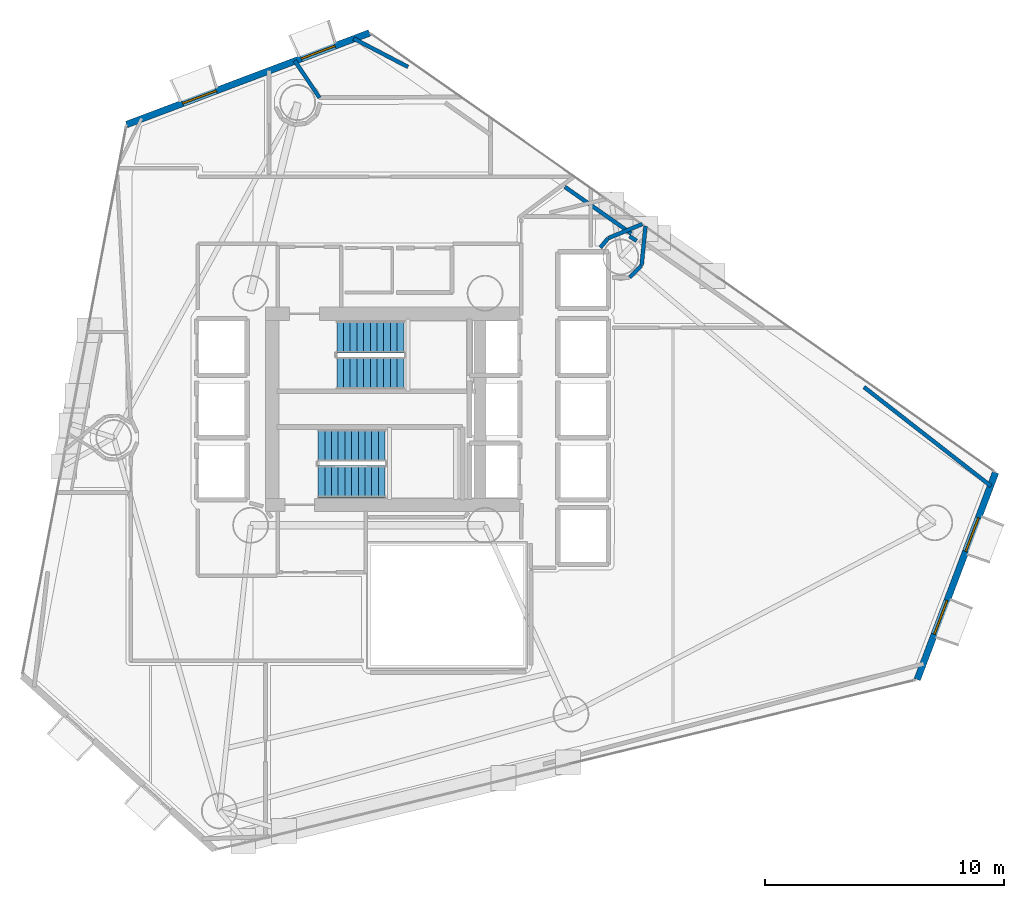
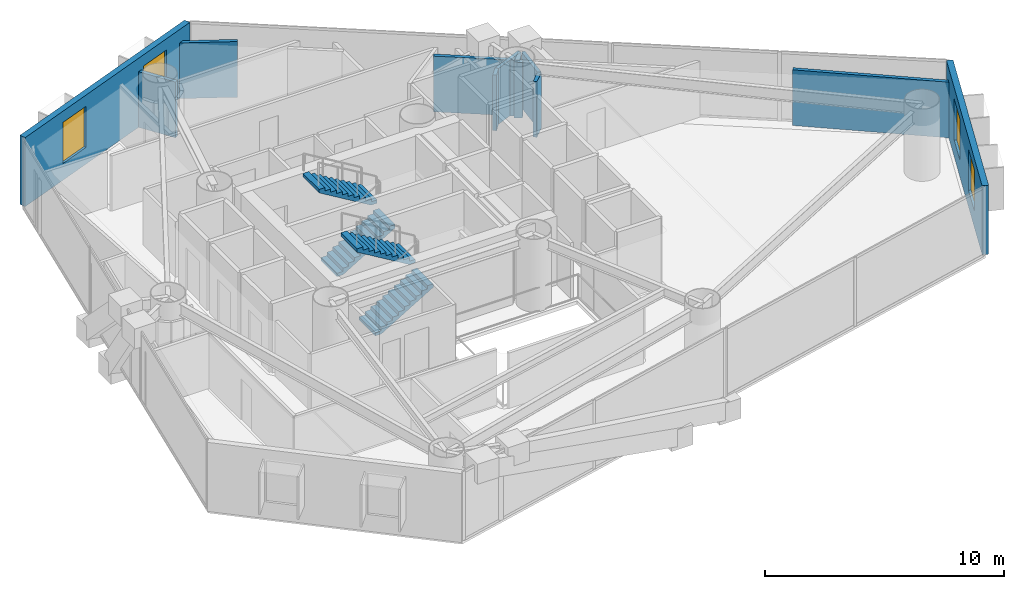
# One storey, part 21 of 24: 11 walls, 4 stair flights, 4 windows, 4 openings, 2 elements without a shape of their own.
"""IFC4 building model written with IfcOpenShell, lengths in metres."""

from ifc_helpers import new_model, si_unit, direction, frame, frame_2d, origin, place, context, subcontext, project, spatial, polyline, rectangle, outline, extrude, material, layer, layer_set, type_object, element, fill, aggregate, save


model = new_model("IFC4")

# Units and contexts
model_context = context("Model", 3, precision=1e-05, world=origin(), true_north=direction((0.0, 1.0)))
body_context = subcontext(model_context, "Body", "Model", "MODEL_VIEW")
ifc_project = project(units=[si_unit("LENGTHUNIT", "METRE"), si_unit("AREAUNIT", "SQUARE_METRE"), si_unit("VOLUMEUNIT", "CUBIC_METRE"), si_unit("PLANEANGLEUNIT", "RADIAN"), si_unit("MASSUNIT", "GRAM", prefix="KILO")], contexts=[model_context])

# Site, building, storey
site_placement = place(None, origin())
site = spatial("IfcSite", under=ifc_project, at=site_placement, CompositionType="ELEMENT")
building_placement = place(site_placement, origin())
building = spatial("IfcBuilding", under=site, at=building_placement, Name="Qianvela Tower", CompositionType="ELEMENT")
storey_placement = place(building_placement, frame((0.0, 0.0, 101.5)))
storey = spatial("IfcBuildingStorey", under=building, at=storey_placement, Name="L25", CompositionType="ELEMENT", Elevation=101.5)

# Wall, openings, windows
ifc_material_1 = material(Name="Terracotta Cladding on Concrete C40", Category="masonry")
ifc_layer_1 = layer(ifc_material_1, 0.280029296875)
ifc_layer_set_1 = layer_set([ifc_layer_1], Name="Terracotta Cladding on Concrete C40")
wall_type_1 = type_object("IfcWallType", Name="TERRACOTTA-WALL-280", PredefinedType="SOLIDWALL", material=ifc_layer_set_1)
wall_1_placement = place(storey_placement, frame((56.4619140625, 17.400634765625, 0.0), z_axis=(0.0, 0.0, 1.0), x_axis=(0.354165203928, 0.935182874269, 0.0)))
wall_1 = element("IfcWall", 1, at=wall_1_placement, inside=storey, type_object=wall_type_1, Name="L25 Terracotta Chamfer Facet Wall 1", PredefinedType="SOLIDWALL", context=body_context, shape_type="SweptSolid", body=[
    extrude(rectangle(XDim=9.256591796875, YDim=0.280029296875, at=frame_2d((4.62841796875, 0.0))), origin(), (0.0, 0.0, 1.0), 3.52001953125),
])
opening_1_placement = place(wall_1_placement, frame((2.027099609375, 0.0, 0.85009765625)))
opening_1 = element("IfcOpeningElement", 2, at=opening_1_placement, cuts=wall_1, Name="Opening W-02", PredefinedType="OPENING", context=body_context, shape_type="SweptSolid", body=[
    extrude(rectangle(XDim=1.5, YDim=2.10009765625, at=frame_2d((0.75, 1.050048828125))), frame((0.0, 0.14990234375, 0.0), z_axis=(0.0, -1.0, 0.0), x_axis=(1.0, 0.0, 0.0)), (0.0, 0.0, 1.0), 0.300048828125),
])
opening_2_placement = place(wall_1_placement, frame((5.7294921875, 0.0, 0.85009765625)))
opening_2 = element("IfcOpeningElement", 3, at=opening_2_placement, cuts=wall_1, Name="Opening W-02", PredefinedType="OPENING", context=body_context, shape_type="SweptSolid", body=[
    extrude(rectangle(XDim=1.5, YDim=2.10009765625, at=frame_2d((0.75, 1.050048828125))), frame((0.0, 0.14990234375, 0.0), z_axis=(0.0, -1.0, 0.0), x_axis=(1.0, 0.0, 0.0)), (0.0, 0.0, 1.0), 0.300048828125),
])
ifc_material_2 = material(Name="Thermally Broken Aluminium and Low-E Glass", Category="aluminium")
window_type = type_object("IfcWindowType", Name="WIN-TC-1500x2100", PartitioningType="DOUBLE_PANEL_VERTICAL", PredefinedType="WINDOW", material=ifc_material_2)
window_1_placement = place(opening_1_placement, origin())
window_1 = element("IfcWindow", 4, at=window_1_placement, inside=storey, type_object=window_type, Name="L25 Chamfer Facet Window 1.1", OverallHeight=2.10009765625, OverallWidth=1.5, PartitioningType="SINGLE_PANEL", PredefinedType="WINDOW", context=body_context, shape_type="SweptSolid", body=[
    extrude(rectangle(XDim=1.5, YDim=2.10009765625, at=frame_2d((0.75, 1.050048828125))), frame((0.0, 0.030029296875, 0.0), z_axis=(0.0, -1.0, 0.0), x_axis=(1.0, 0.0, 0.0)), (0.0, 0.0, 1.0), 0.06005859375),
])
fill(opening_1, window_1)
window_2_placement = place(opening_2_placement, origin())
window_2 = element("IfcWindow", 5, at=window_2_placement, inside=storey, type_object=window_type, Name="L25 Chamfer Facet Window 1.2", OverallHeight=2.10009765625, OverallWidth=1.5, PartitioningType="SINGLE_PANEL", PredefinedType="WINDOW", context=body_context, shape_type="SweptSolid", body=[
    extrude(rectangle(XDim=1.5, YDim=2.10009765625, at=frame_2d((0.75, 1.050048828125))), frame((0.0, 0.030029296875, 0.0), z_axis=(0.0, -1.0, 0.0), x_axis=(1.0, 0.0, 0.0)), (0.0, 0.0, 1.0), 0.06005859375),
])
fill(opening_2, window_2)

wall_2_placement = place(storey_placement, frame((33.56787109375, 44.43310546875, 0.0), z_axis=(0.0, 0.0, 1.0), x_axis=(-0.935658075395, -0.352907871757, 0.0)))
wall_2 = element("IfcWall", 6, at=wall_2_placement, inside=storey, type_object=wall_type_1, Name="L25 Terracotta Chamfer Facet Wall 3", PredefinedType="SOLIDWALL", context=body_context, shape_type="SweptSolid", body=[
    extrude(rectangle(XDim=10.8515625, YDim=0.280029296875, at=frame_2d((5.42578125, 0.0))), origin(), (0.0, 0.0, 1.0), 3.52001953125),
])
opening_3_placement = place(wall_2_placement, frame((1.54541015625, 0.0, 0.85009765625)))
opening_3 = element("IfcOpeningElement", 7, at=opening_3_placement, cuts=wall_2, Name="Opening W-02", PredefinedType="OPENING", context=body_context, shape_type="SweptSolid", body=[
    extrude(rectangle(XDim=1.5, YDim=2.10009765625, at=frame_2d((0.75, 1.050048828125))), frame((0.0, 0.14990234375, 0.0), z_axis=(0.0, -1.0, 0.0), x_axis=(1.0, 0.0, 0.0)), (0.0, 0.0, 1.0), 0.300048828125),
])
opening_4_placement = place(wall_2_placement, frame((6.845947265625, 0.0, 0.85009765625)))
opening_4 = element("IfcOpeningElement", 8, at=opening_4_placement, cuts=wall_2, Name="Opening W-02", PredefinedType="OPENING", context=body_context, shape_type="SweptSolid", body=[
    extrude(rectangle(XDim=1.5, YDim=2.10009765625, at=frame_2d((0.75, 1.050048828125))), frame((0.0, 0.14990234375, 0.0), z_axis=(0.0, -1.0, 0.0), x_axis=(1.0, 0.0, 0.0)), (0.0, 0.0, 1.0), 0.300048828125),
])
window_3_placement = place(opening_3_placement, origin())
window_3 = element("IfcWindow", 9, at=window_3_placement, inside=storey, type_object=window_type, Name="L25 Chamfer Facet Window 3.1", OverallHeight=2.10009765625, OverallWidth=1.5, PartitioningType="SINGLE_PANEL", PredefinedType="WINDOW", context=body_context, shape_type="SweptSolid", body=[
    extrude(rectangle(XDim=1.5, YDim=2.10009765625, at=frame_2d((0.75, 1.050048828125))), frame((0.0, 0.030029296875, 0.0), z_axis=(0.0, -1.0, 0.0), x_axis=(1.0, 0.0, 0.0)), (0.0, 0.0, 1.0), 0.06005859375),
])
fill(opening_3, window_3)
window_4_placement = place(opening_4_placement, origin())
window_4 = element("IfcWindow", 10, at=window_4_placement, inside=storey, type_object=window_type, Name="L25 Chamfer Facet Window 3.2", OverallHeight=2.10009765625, OverallWidth=1.5, PartitioningType="SINGLE_PANEL", PredefinedType="WINDOW", context=body_context, shape_type="SweptSolid", body=[
    extrude(rectangle(XDim=1.5, YDim=2.10009765625, at=frame_2d((0.75, 1.050048828125))), frame((0.0, 0.030029296875, 0.0), z_axis=(0.0, -1.0, 0.0), x_axis=(1.0, 0.0, 0.0)), (0.0, 0.0, 1.0), 0.06005859375),
])
fill(opening_4, window_4)

# Walls
ifc_material_3 = material(Name="Sanitary Service Chase Partition")
ifc_layer_2 = layer(ifc_material_3, 0.1650390625)
ifc_layer_set_2 = layer_set([ifc_layer_2], Name="Sanitary Service Chase Partition")
wall_type_2 = type_object("IfcWallType", Name="WT-PLUMB-165", PredefinedType="PLUMBINGWALL", material=ifc_layer_set_2)
wall_3_placement = place(storey_placement, frame((54.236572265625, 29.628173828125, 0.0), z_axis=(0.0, 0.0, 1.0), x_axis=(0.788703460588, -0.61477382122, 0.0)))
element("IfcWall", 11, at=wall_3_placement, inside=storey, type_object=wall_type_2, Name="L25 Partition 69 seg 1", PredefinedType="PLUMBINGWALL", context=body_context, shape_type="SweptSolid", body=[
    extrude(rectangle(XDim=6.73193359375, YDim=0.1650390625, at=frame_2d((3.365966796875, 0.0))), origin(), (0.0, 0.0, 1.0), 2.840087890625),
])
wall_4_placement = place(storey_placement, frame((44.441162109375, 34.207275390625, 0.0), z_axis=(0.0, 0.0, 1.0), x_axis=(0.707106781187, 0.707106781187, 0.0)))
element("IfcWall", 12, at=wall_4_placement, inside=storey, type_object=wall_type_2, Name="L25 Partition 76", PredefinedType="PLUMBINGWALL", context=body_context, shape_type="SweptSolid", body=[
    extrude(rectangle(XDim=0.6962890625, YDim=0.1650390625, at=frame_2d((0.34814453125, 0.0))), origin(), (0.0, 0.0, 1.0), 2.840087890625),
])
wall_5_placement = place(storey_placement, frame((44.942626953125, 34.71875, 0.0), z_axis=(0.0, 0.0, 1.0), x_axis=(0.09801847971, 0.995184594754, 0.0)))
element("IfcWall", 13, at=wall_5_placement, inside=storey, type_object=wall_type_2, Name="L25 Partition 77", PredefinedType="PLUMBINGWALL", context=body_context, shape_type="SweptSolid", body=[
    extrude(rectangle(XDim=1.643798828125, YDim=0.1650390625, at=frame_2d((0.82177734375, 0.0))), origin(), (0.0, 0.0, 1.0), 2.840087890625),
])
wall_6_placement = place(storey_placement, frame((44.731689453125, 35.7392578125, 0.0), z_axis=(0.0, 0.0, 1.0), x_axis=(-0.831414960455, 0.555652016582, 0.0)))
element("IfcWall", 14, at=wall_6_placement, inside=storey, type_object=wall_type_2, Name="L25 Partition 79", PredefinedType="PLUMBINGWALL", context=body_context, shape_type="SweptSolid", body=[
    extrude(rectangle(XDim=0.35498046875, YDim=0.1650390625, at=frame_2d((0.177490234375, 0.0))), origin(), (0.0, 0.0, 1.0), 2.840087890625),
])
wall_7_placement = place(storey_placement, frame((44.975341796875, 36.4443359375, 0.0), z_axis=(0.0, 0.0, 1.0), x_axis=(-0.923821499472, -0.382823506479, 0.0)))
element("IfcWall", 15, at=wall_7_placement, inside=storey, type_object=wall_type_2, Name="L25 Partition 81", PredefinedType="PLUMBINGWALL", context=body_context, shape_type="SweptSolid", body=[
    extrude(rectangle(XDim=1.538818359375, YDim=0.1650390625, at=frame_2d((0.76953125, 0.0))), origin(), (0.0, 0.0, 1.0), 2.840087890625),
])
wall_8_placement = place(storey_placement, frame((43.541748046875, 35.846435546875, 0.0), z_axis=(0.0, 0.0, 1.0), x_axis=(-0.641896943682, -0.76679091915, 0.0)))
element("IfcWall", 16, at=wall_8_placement, inside=storey, type_object=wall_type_2, Name="L25 Partition 82", PredefinedType="PLUMBINGWALL", context=body_context, shape_type="SweptSolid", body=[
    extrude(rectangle(XDim=0.50439453125, YDim=0.1650390625, at=frame_2d((0.252197265625, 0.0))), origin(), (0.0, 0.0, 1.0), 2.840087890625),
])
wall_9_placement = place(storey_placement, frame((41.734130859375, 37.99560546875, 0.0), z_axis=(0.0, 0.0, 1.0), x_axis=(0.818419506658, -0.574621189239, 0.0)))
element("IfcWall", 17, at=wall_9_placement, inside=storey, type_object=wall_type_2, Name="L25 Partition 86 seg 1", PredefinedType="PLUMBINGWALL", context=body_context, shape_type="SweptSolid", body=[
    extrude(rectangle(XDim=3.391845703125, YDim=0.1650390625, at=frame_2d((1.69580078125, 0.0))), origin(), (0.0, 0.0, 1.0), 2.840087890625),
])
wall_10_placement = place(storey_placement, frame((32.8994140625, 44.198486328125, 0.0), z_axis=(0.0, 0.0, 1.0), x_axis=(0.886559432929, -0.462614712135, 0.0)))
element("IfcWall", 18, at=wall_10_placement, inside=storey, type_object=wall_type_2, Name="L25 Partition 92 seg 1", PredefinedType="PLUMBINGWALL", context=body_context, shape_type="SweptSolid", body=[
    extrude(rectangle(XDim=2.569580078125, YDim=0.1650390625, at=frame_2d((1.28466796875, 0.0))), origin(), (0.0, 0.0, 1.0), 2.840087890625),
])
wall_11_placement = place(storey_placement, frame((31.481201171875, 41.71923828125, 0.0), z_axis=(0.0, 0.0, 1.0), x_axis=(-0.55689586122, 0.830582325694, 0.0)))
element("IfcWall", 19, at=wall_11_placement, inside=storey, type_object=wall_type_2, Name="L25 Partition 94", PredefinedType="PLUMBINGWALL", context=body_context, shape_type="SweptSolid", body=[
    extrude(rectangle(XDim=1.87158203125, YDim=0.1650390625, at=frame_2d((0.935791015625, 0.0))), origin(), (0.0, 0.0, 1.0), 2.840087890625),
])

# Stair, stair flights
ifc_material_4 = material(Name="Concrete C40", Category="concrete")
stair_type = type_object("IfcStairType", Name="ST-DOGLEG-1350-R168-N22", PredefinedType="HALF_TURN_STAIR", material=ifc_material_4)
stair_1_placement = place(storey_placement, origin())
stair_1 = element("IfcStair", 20, at=stair_1_placement, inside=storey, type_object=stair_type, Name="L25 Smoke-Proof Core Stair ST-1", PredefinedType="HALF_TURN_STAIR")
ifc_material_5 = material(Name="Concrete C40", Category="concrete")
stair_flight_type = type_object("IfcStairFlightType", Name="STF-STRAIGHT-R168-P11", PredefinedType="STRAIGHT", material=ifc_material_5)
stair_flight_1_placement = place(storey_placement, frame((32.199951171875, 30.215087890625, 0.0), z_axis=(0.0, 0.0, 1.0), x_axis=(1.0, 0.0, 0.0)))
stair_flight_1 = element("IfcStairFlight", 21, at=stair_flight_1_placement, type_object=stair_flight_type, Name="ST-1 flight 1", NumberOfRisers=11, NumberOfTreads=10, PredefinedType="STRAIGHT", RiserHeight=0.168181818, TreadLength=0.28, context=body_context, shape_type="SweptSolid", body=[
    extrude(outline(polyline([(0.0, 0.0), (0.0, 0.168212890625), (0.280029296875, 0.168212890625), (0.280029296875, 0.33642578125), (0.56005859375, 0.33642578125), (0.56005859375, 0.504638671875), (0.840087890625, 0.504638671875), (0.840087890625, 0.672607421875), (1.1201171875, 0.672607421875), (1.1201171875, 0.8408203125), (1.39990234375, 0.8408203125), (1.39990234375, 1.009033203125), (1.679931640625, 1.009033203125), (1.679931640625, 1.17724609375), (1.9599609375, 1.17724609375), (1.9599609375, 1.345458984375), (2.239990234375, 1.345458984375), (2.239990234375, 1.513671875), (2.52001953125, 1.513671875), (2.52001953125, 1.681884765625), (2.800048828125, 1.681884765625), (2.800048828125, 1.85009765625), (2.800048828125, 1.5068359375), (0.291015625, 0.0), (0.0, 0.0)])), frame((0.0, 0.675048828125, 0.0), z_axis=(0.0, -1.0, 0.0), x_axis=(1.0, 0.0, 0.0)), (0.0, 0.0, 1.0), 1.35009765625),
])
stair_flight_2_placement = place(storey_placement, frame((35.0, 31.72509765625, 1.85009765625), z_axis=(0.0, 0.0, 1.0), x_axis=(-1.0, 0.0, 0.0)))
stair_flight_2 = element("IfcStairFlight", 22, at=stair_flight_2_placement, type_object=stair_flight_type, Name="ST-1 flight 2", NumberOfRisers=11, NumberOfTreads=10, PredefinedType="STRAIGHT", RiserHeight=0.168181818, TreadLength=0.28, context=body_context, shape_type="SweptSolid", body=[
    extrude(outline(polyline([(0.0, 0.0), (0.0, 0.168212890625), (0.280029296875, 0.168212890625), (0.280029296875, 0.33642578125), (0.56005859375, 0.33642578125), (0.56005859375, 0.504638671875), (0.840087890625, 0.504638671875), (0.840087890625, 0.672607421875), (1.1201171875, 0.672607421875), (1.1201171875, 0.8408203125), (1.39990234375, 0.8408203125), (1.39990234375, 1.009033203125), (1.679931640625, 1.009033203125), (1.679931640625, 1.17724609375), (1.9599609375, 1.17724609375), (1.9599609375, 1.345458984375), (2.239990234375, 1.345458984375), (2.239990234375, 1.513671875), (2.52001953125, 1.513671875), (2.52001953125, 1.681884765625), (2.800048828125, 1.681884765625), (2.800048828125, 1.85009765625), (2.800048828125, 1.5068359375), (0.291015625, 0.0), (0.0, 0.0)])), frame((0.0, 0.675048828125, 0.0), z_axis=(0.0, -1.0, 0.0), x_axis=(1.0, 0.0, 0.0)), (0.0, 0.0, 1.0), 1.35009765625),
])
aggregate(stair_1, [stair_flight_1, stair_flight_2])

stair_2_placement = place(storey_placement, origin())
stair_2 = element("IfcStair", 23, at=stair_2_placement, inside=storey, type_object=stair_type, Name="L25 Smoke-Proof Core Stair ST-2", PredefinedType="HALF_TURN_STAIR")
stair_flight_3_placement = place(storey_placement, frame((31.419921875, 25.675048828125, 0.0), z_axis=(0.0, 0.0, 1.0), x_axis=(1.0, 0.0, 0.0)))
stair_flight_3 = element("IfcStairFlight", 24, at=stair_flight_3_placement, type_object=stair_flight_type, Name="ST-2 flight 1", NumberOfRisers=11, NumberOfTreads=10, PredefinedType="STRAIGHT", RiserHeight=0.168181818, TreadLength=0.28, context=body_context, shape_type="SweptSolid", body=[
    extrude(outline(polyline([(0.0, 0.0), (0.0, 0.168212890625), (0.280029296875, 0.168212890625), (0.280029296875, 0.33642578125), (0.56005859375, 0.33642578125), (0.56005859375, 0.504638671875), (0.840087890625, 0.504638671875), (0.840087890625, 0.672607421875), (1.1201171875, 0.672607421875), (1.1201171875, 0.8408203125), (1.39990234375, 0.8408203125), (1.39990234375, 1.009033203125), (1.679931640625, 1.009033203125), (1.679931640625, 1.17724609375), (1.9599609375, 1.17724609375), (1.9599609375, 1.345458984375), (2.239990234375, 1.345458984375), (2.239990234375, 1.513671875), (2.52001953125, 1.513671875), (2.52001953125, 1.681884765625), (2.800048828125, 1.681884765625), (2.800048828125, 1.85009765625), (2.800048828125, 1.5068359375), (0.291015625, 0.0), (0.0, 0.0)])), frame((0.0, 0.675048828125, 0.0), z_axis=(0.0, -1.0, 0.0), x_axis=(1.0, 0.0, 0.0)), (0.0, 0.0, 1.0), 1.35009765625),
])
stair_flight_4_placement = place(storey_placement, frame((34.219970703125, 27.18505859375, 1.85009765625), z_axis=(0.0, 0.0, 1.0), x_axis=(-1.0, 0.0, 0.0)))
stair_flight_4 = element("IfcStairFlight", 25, at=stair_flight_4_placement, type_object=stair_flight_type, Name="ST-2 flight 2", NumberOfRisers=11, NumberOfTreads=10, PredefinedType="STRAIGHT", RiserHeight=0.168181818, TreadLength=0.28, context=body_context, shape_type="SweptSolid", body=[
    extrude(outline(polyline([(0.0, 0.0), (0.0, 0.168212890625), (0.280029296875, 0.168212890625), (0.280029296875, 0.33642578125), (0.56005859375, 0.33642578125), (0.56005859375, 0.504638671875), (0.840087890625, 0.504638671875), (0.840087890625, 0.672607421875), (1.1201171875, 0.672607421875), (1.1201171875, 0.8408203125), (1.39990234375, 0.8408203125), (1.39990234375, 1.009033203125), (1.679931640625, 1.009033203125), (1.679931640625, 1.17724609375), (1.9599609375, 1.17724609375), (1.9599609375, 1.345458984375), (2.239990234375, 1.345458984375), (2.239990234375, 1.513671875), (2.52001953125, 1.513671875), (2.52001953125, 1.681884765625), (2.800048828125, 1.681884765625), (2.800048828125, 1.85009765625), (2.800048828125, 1.5068359375), (0.291015625, 0.0), (0.0, 0.0)])), frame((0.0, 0.675048828125, 0.0), z_axis=(0.0, -1.0, 0.0), x_axis=(1.0, 0.0, 0.0)), (0.0, 0.0, 1.0), 1.35009765625),
])
aggregate(stair_2, [stair_flight_3, stair_flight_4])

save(model, "model.ifc")
